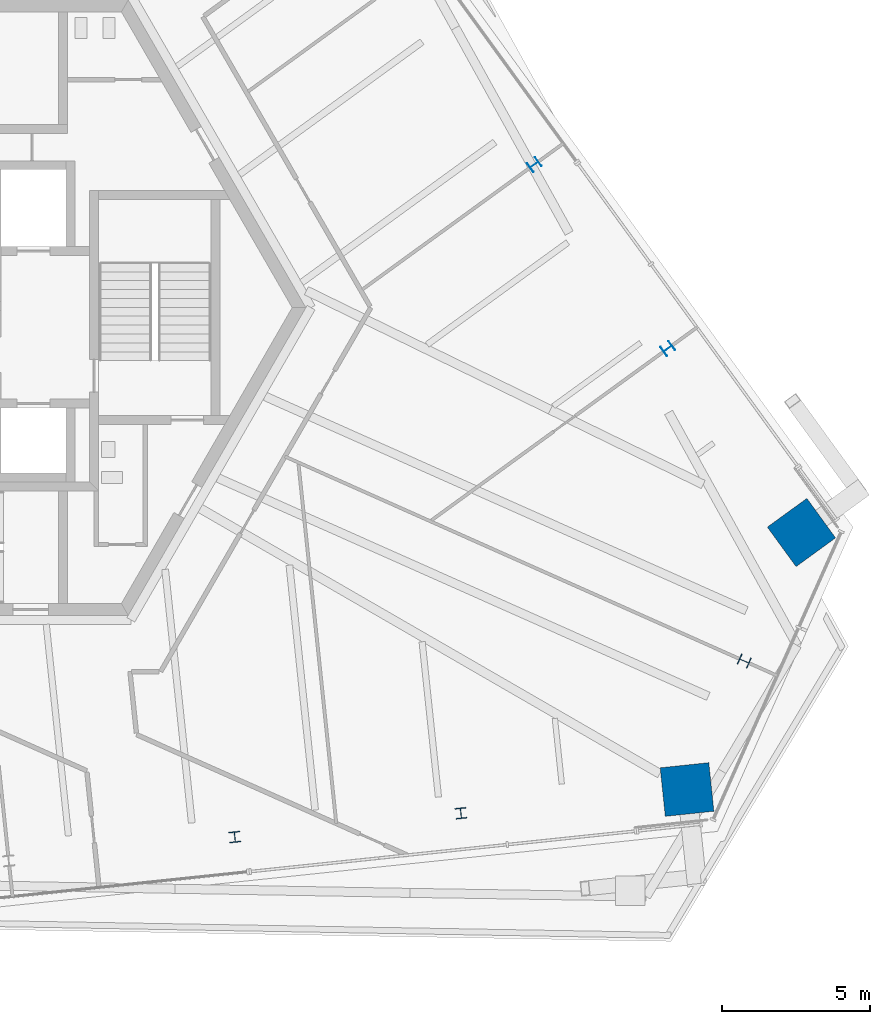
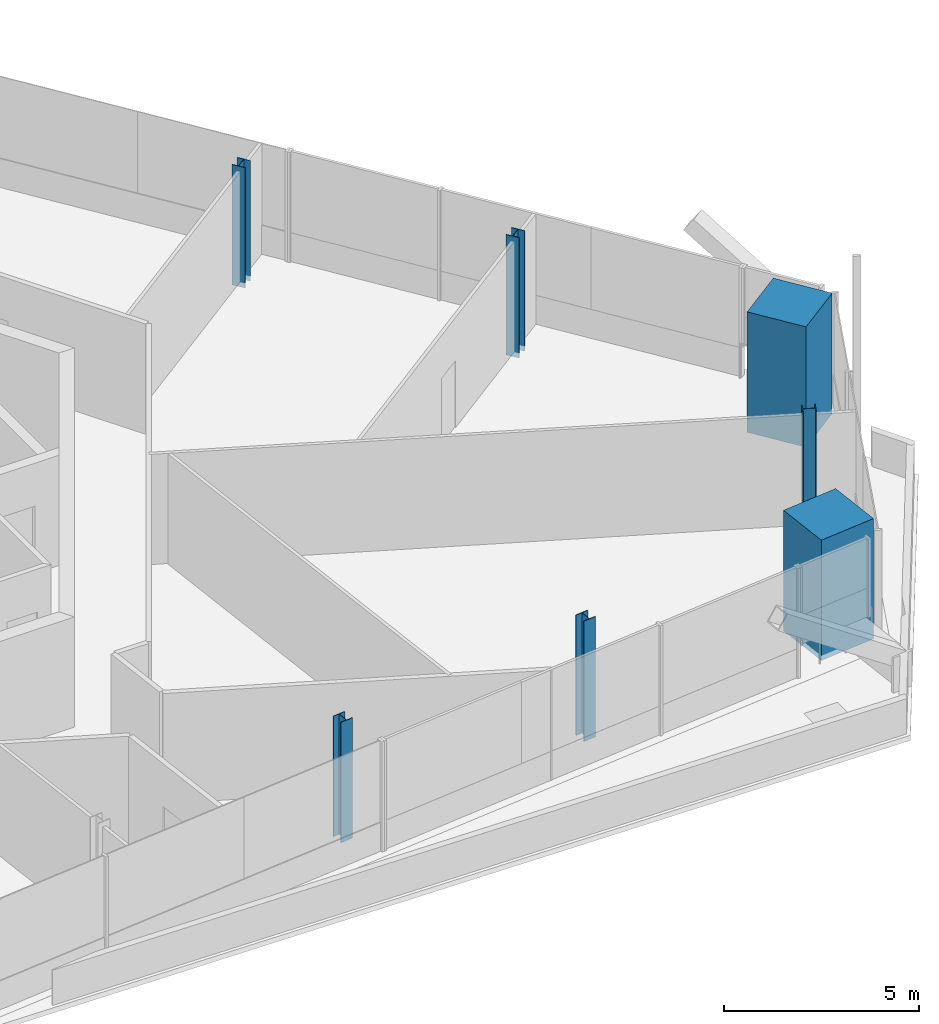
# One storey, part 2 of 21: 7 columns.
"""IFC4 building model written with IfcOpenShell, lengths in metres."""

from ifc_helpers import new_model, si_unit, direction, frame, origin, origin_2d, place, context, subcontext, project, spatial, rectangle, i_section, extrude, source, transform, mapped, material, material_profile, profile_set, type_object, element, save


model = new_model("IFC4")

# Units and contexts
model_context = context("Model", 3, precision=1e-05, world=origin(), true_north=direction((0.0, 1.0)))
body_context = subcontext(model_context, "Body", "Model", "MODEL_VIEW")
ifc_project = project(units=[si_unit("LENGTHUNIT", "METRE"), si_unit("AREAUNIT", "SQUARE_METRE"), si_unit("VOLUMEUNIT", "CUBIC_METRE"), si_unit("PLANEANGLEUNIT", "RADIAN"), si_unit("MASSUNIT", "GRAM", prefix="KILO")], contexts=[model_context])

# Site, building, storey
site_placement = place(None, origin())
site = spatial("IfcSite", under=ifc_project, at=site_placement, CompositionType="ELEMENT")
building_placement = place(site_placement, origin())
building = spatial("IfcBuilding", under=site, at=building_placement, Name="Triune Harvest Tower", CompositionType="ELEMENT")
storey_placement = place(building_placement, frame((0.0, 0.0, 219.699951171875)))
storey = spatial("IfcBuildingStorey", under=building, at=storey_placement, Name="L57", CompositionType="ELEMENT", Elevation=219.699951171875)

# Columns
ifc_material_1 = material(Name="Concrete 70 MPa", Category="concrete")
ifc_material_profile_1 = material_profile(ifc_material_1, rectangle(XDim=1.64990234375, YDim=1.64990234375, at=origin_2d()), Name="Composite 1650x1650")
ifc_profile_set_1 = profile_set([ifc_material_profile_1], Name="Concrete 70 MPa")
column_type_1 = type_object("IfcColumnType", Name="MC-6 Mega column Composite 1650x1650", PredefinedType="COLUMN", material=ifc_profile_set_1)
shared_shape_1 = source(origin(), body_context, "Body", "SweptSolid", [
    extrude(rectangle(XDim=1.64990234375, YDim=1.64990234375, at=origin_2d()), origin(), (0.0, 0.0, 1.0), 3.760009765625),
])
for number, where, z_axis, x_axis, name in (
    (1, (28.741455078125, -7.59521484375, -0.159912109375), (0.0, 0.0, 1.0), (-0.587785252292, 0.809016994375, 0.0), "col/L57/M0"),
    (2, (24.8759765625, -16.27685546875, -0.159912109375), (0.0, 0.0, 1.0), (0.99452171293, 0.104530199036, 0.0), "col/L57/M22"),
):
    element("IfcColumn", number, at=place(storey_placement, frame(where, z_axis=z_axis, x_axis=x_axis)), inside=storey, type_object=column_type_1, Name=name, PredefinedType="COLUMN", context=body_context, shape_type="MappedRepresentation", body=[
        mapped(shared_shape_1, transform((0.0, 0.0, 0.0), scale=1.0)),
    ])
ifc_material_2 = material(Name="Steel ASTM A992 Gr 50", Category="steel")
ifc_material_profile_2 = material_profile(ifc_material_2, i_section(OverallWidth=0.368408203125, OverallDepth=0.355712890625, WebThickness=0.01123046875, FlangeThickness=0.01806640625, at=origin_2d()), Name="W14x90")
ifc_profile_set_2 = profile_set([ifc_material_profile_2], Name="Steel ASTM A992 Gr 50")
column_type_2 = type_object("IfcColumnType", Name="PC-6 Perimeter column W14x90", PredefinedType="COLUMN", material=ifc_profile_set_2)
shared_shape_2 = source(origin(), body_context, "Body", "SweptSolid", [
    extrude(i_section(OverallWidth=0.368408203125, OverallDepth=0.355712890625, WebThickness=0.01123046875, FlangeThickness=0.01806640625, at=origin_2d()), origin(), (0.0, 0.0, 1.0), 3.760009765625),
])
for number, where, z_axis, x_axis, name in (
    (3, (24.2275390625, -1.38232421875, -0.159912109375), (0.0, 0.0, 1.0), (-0.587785252292, 0.809016994375, 0.0), "col/L57/P1"),
    (4, (19.713623046875, 4.83056640625, -0.159912109375), (0.0, 0.0, 1.0), (-0.587785252292, 0.809016994375, 0.0), "col/L57/P2"),
    (5, (9.601318359375, -17.88232421875, -0.159912109375), (0.0, 0.0, 1.0), (0.99452171293, 0.104530199036, 0.0), "col/L57/P20"),
    (6, (17.238525390625, -17.07958984375, -0.159912109375), (0.0, 0.0, 1.0), (0.99452171293, 0.104530199036, 0.0), "col/L57/P21"),
    (7, (26.80859375, -11.93603515625, -0.159912109375), (0.0, 0.0, 1.0), (0.406741426383, 0.913543327962, 0.0), "col/L57/P23"),
):
    element("IfcColumn", number, at=place(storey_placement, frame(where, z_axis=z_axis, x_axis=x_axis)), inside=storey, type_object=column_type_2, Name=name, PredefinedType="COLUMN", context=body_context, shape_type="MappedRepresentation", body=[
        mapped(shared_shape_2, transform((0.0, 0.0, 0.0), scale=1.0)),
    ])

save(model, "model.ifc")
